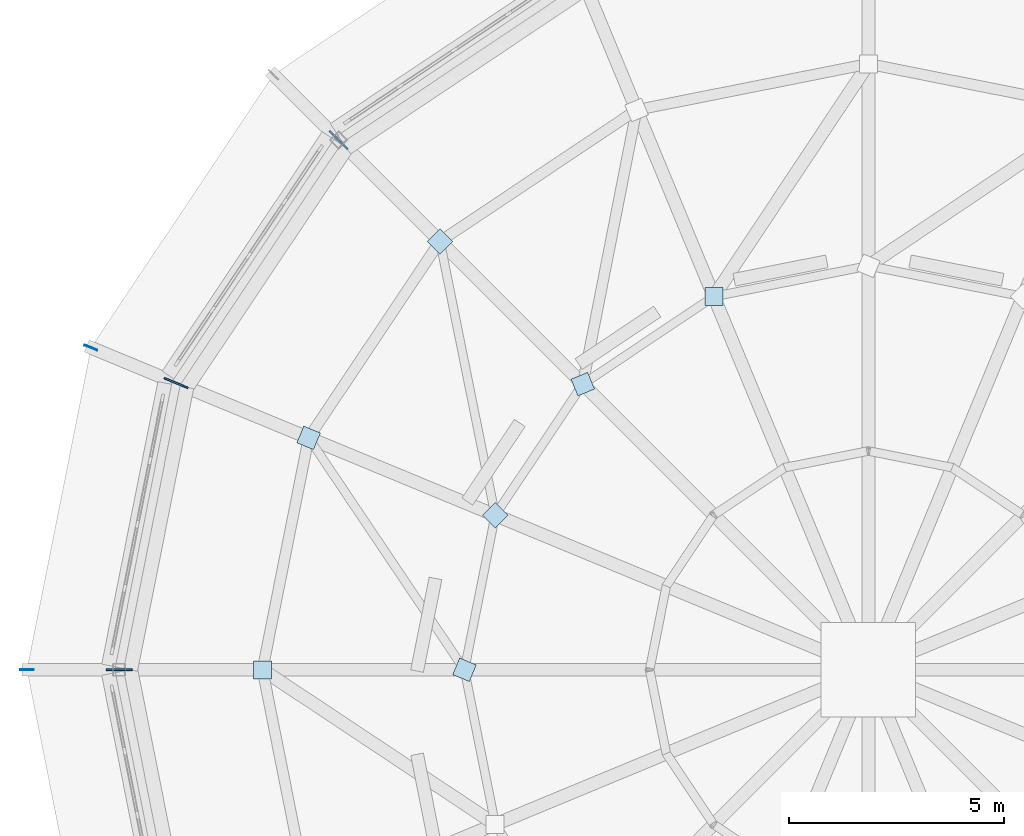
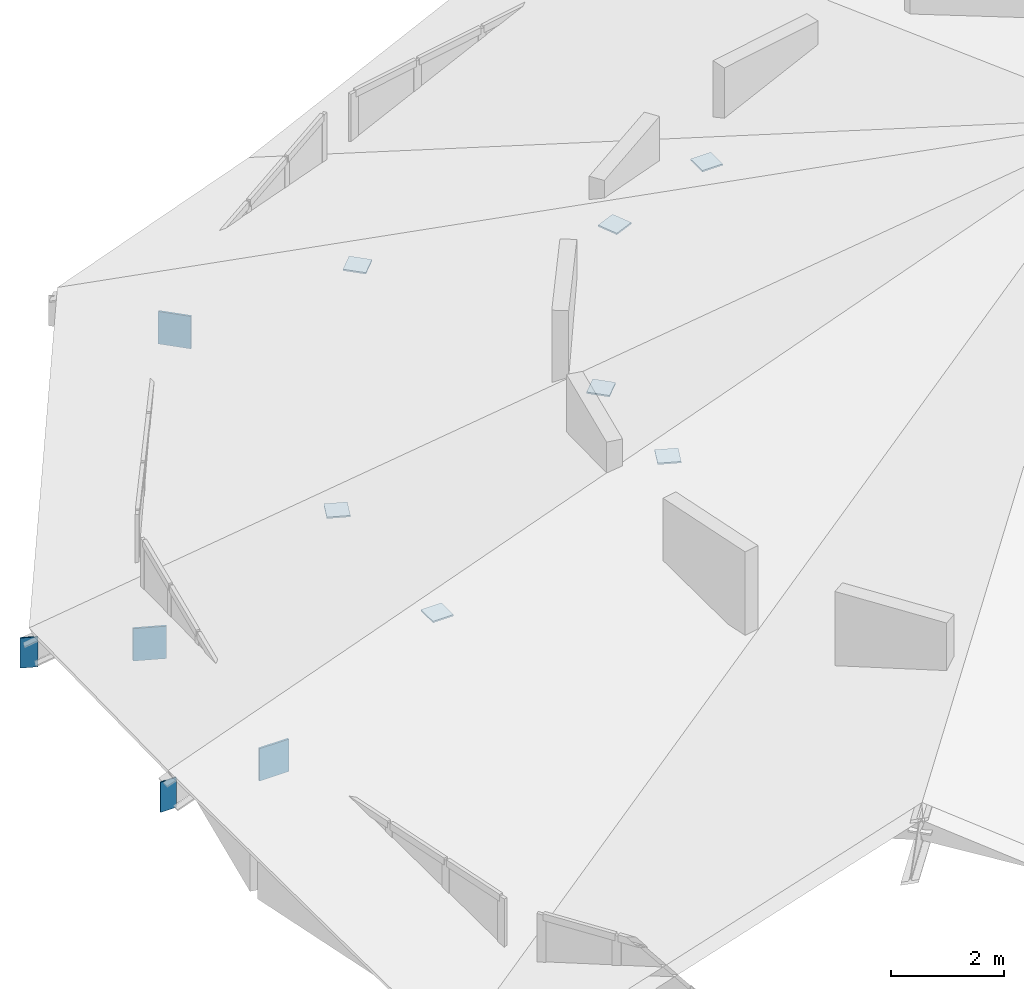
# One storey, part 14 of 18: 12 plates.
"""IFC4 building model written with IfcOpenShell, lengths in metres."""

from ifc_helpers import new_model, si_unit, direction, frame, origin, origin_2d, place, context, subcontext, project, spatial, rectangle, extrude, material, layer, layer_set, type_object, element, save


model = new_model("IFC4")

# Units and contexts
model_context = context("Model", 3, precision=1e-05, world=origin(), true_north=direction((0.0, 1.0)))
body_context = subcontext(model_context, "Body", "Model", "MODEL_VIEW")
ifc_project = project(units=[si_unit("LENGTHUNIT", "METRE"), si_unit("AREAUNIT", "SQUARE_METRE"), si_unit("VOLUMEUNIT", "CUBIC_METRE"), si_unit("PLANEANGLEUNIT", "RADIAN"), si_unit("MASSUNIT", "GRAM", prefix="KILO")], contexts=[model_context])

# Site, building, storey
site_placement = place(None, origin())
site = spatial("IfcSite", under=ifc_project, at=site_placement, CompositionType="ELEMENT")
building_placement = place(site_placement, origin())
building = spatial("IfcBuilding", under=site, at=building_placement, Name="Soyqirgoq Riverine Aquarium", CompositionType="ELEMENT")
storey_placement = place(building_placement, frame((0.0, 0.0, 29.39990234375)))
storey = spatial("IfcBuildingStorey", under=building, at=storey_placement, Name="RF", CompositionType="ELEMENT", Elevation=29.39990234375)

# Plates
ifc_material_1 = material(Name="Structural steel S355", Category="steel")
ifc_layer_1 = layer(ifc_material_1, 0.031982421875)
ifc_layer_set_1 = layer_set([ifc_layer_1], Name="Structural steel S355")
plate_type_1 = type_object("IfcPlateType", Name="NodeGussetPlate_32_S355", PredefinedType="SHEET", material=ifc_layer_set_1)
for number, where, z_axis, x_axis, name in (
    (1, (52.399658203125, 65.69189453125, 4.22802734375), (0.0, 0.0, 1.0), (0.0, 1.0, 0.0), "V1 Radial Truss Brace End Gusset Plate 094"),
    (2, (49.347412109375, 63.652587890625, 5.18798828125), (0.0, 0.0, 1.0), (-0.382683432365, 0.923879532511, 0.0), "V1 Radial Truss Brace End Gusset Plate 096"),
    (3, (46.021240234375, 66.978759765625, 3.4599609375), (0.0, 0.0, 1.0), (-0.707106781187, 0.707106781187, 0.0), "V1 Radial Truss Brace End Gusset Plate 097"),
    (4, (47.30810546875, 60.600341796875, 4.22802734375), (0.0, 0.0, 1.0), (-0.707106781187, 0.707106781187, 0.0), "V1 Radial Truss Brace End Gusset Plate 098"),
    (5, (42.962158203125, 62.400390625, 2.02001953125), (0.0, 0.0, 1.0), (-0.923879532511, 0.382683432365, 0.0), "V1 Radial Truss Brace End Gusset Plate 099"),
    (6, (46.592041015625, 57.0, 5.18798828125), (0.0, 0.0, 1.0), (-0.923879532511, 0.382683432365, 0.0), "V1 Radial Truss Brace End Gusset Plate 100"),
    (7, (41.887939453125, 57.0, 3.4599609375), (0.0, 0.0, 1.0), (-1.0, 0.0, 0.0), "V1 Radial Truss Brace End Gusset Plate 101"),
):
    element("IfcPlate", number, at=place(storey_placement, frame(where, z_axis=z_axis, x_axis=x_axis)), inside=storey, type_object=plate_type_1, Name=name, PredefinedType="SHEET", context=body_context, shape_type="SweptSolid", body=[
        extrude(rectangle(XDim=0.419921875, YDim=0.419921875, at=origin_2d()), origin(), (0.0, 0.0, 1.0), 0.031982421875),
    ])
ifc_material_2 = material(Name="Structural steel S355", Category="steel")
ifc_layer_2 = layer(ifc_material_2, 0.0400390625)
ifc_layer_set_2 = layer_set([ifc_layer_2], Name="Structural steel S355")
plate_type_2 = type_object("IfcPlateType", Name="NodeGussetPlate_40_S355", PredefinedType="SHEET", material=ifc_layer_set_2)
for number, where, z_axis, x_axis, name in (
    (8, (43.660888671875, 69.339111328125, 1.1298828125), (0.0, 0.0, 1.0), (-0.707106781187, 0.707106781187, 0.0), "V1 Folded-Plate Ring Node Gusset 066"),
    (9, (39.87841796875, 63.677734375, -0.8701171875), (0.0, 0.0, 1.0), (-0.923879532511, 0.382683432365, 0.0), "V1 Folded-Plate Ring Node Gusset 068"),
    (10, (38.550048828125, 57.0, 1.1298828125), (0.0, 0.0, 1.0), (-1.0, 0.0, 0.0), "V1 Folded-Plate Ring Node Gusset 070"),
):
    element("IfcPlate", number, at=place(storey_placement, frame(where, z_axis=z_axis, x_axis=x_axis)), inside=storey, type_object=plate_type_2, Name=name, PredefinedType="SHEET", context=body_context, shape_type="SweptSolid", body=[
        extrude(rectangle(XDim=0.60009765625, YDim=0.0400390625, at=origin_2d()), origin(), (0.0, 0.0, 1.0), 0.699951171875),
    ])
ifc_material_3 = material(Name="Structural steel S355", Category="steel")
ifc_layer_3 = layer(ifc_material_3, 0.02001953125)
ifc_layer_set_3 = layer_set([ifc_layer_3], Name="Structural steel S355")
plate_type_3 = type_object("IfcPlateType", Name="TubeCapPlate_20_S355", PredefinedType="USERDEFINED", material=ifc_layer_set_3)
plate_1_placement = place(storey_placement, frame((36.39990234375, 57.0, 1.155029296875), z_axis=(0.0, 0.0, 1.0), x_axis=(-1.0, 0.0, 0.0)))
element("IfcPlate", 11, at=plate_1_placement, inside=storey, type_object=plate_type_3, Name="V1 Folded-Plate Eave Rib Cap Plate 069", ObjectType="FLANGE_PLATE", PredefinedType="USERDEFINED", context=body_context, shape_type="SweptSolid", body=[
    extrude(rectangle(XDim=0.320068359375, YDim=0.02001953125, at=origin_2d()), origin(), (0.0, 0.0, 1.0), 0.64990234375),
])
ifc_material_4 = material(Name="Structural steel S355", Category="steel")
ifc_layer_4 = layer(ifc_material_4, 0.02197265625)
ifc_layer_set_4 = layer_set([ifc_layer_4], Name="Structural steel S355")
plate_type_4 = type_object("IfcPlateType", Name="TubeCapPlate_22_S355", PredefinedType="USERDEFINED", material=ifc_layer_set_4)
plate_2_placement = place(storey_placement, frame((37.89208984375, 64.50048828125, -0.844970703125), z_axis=(0.0, 0.0, 1.0), x_axis=(-0.923879532511, 0.382683432365, 0.0)))
element("IfcPlate", 12, at=plate_2_placement, inside=storey, type_object=plate_type_4, Name="V1 Folded-Plate Eave Rib Cap Plate 067", ObjectType="FLANGE_PLATE", PredefinedType="USERDEFINED", context=body_context, shape_type="SweptSolid", body=[
    extrude(rectangle(XDim=0.320068359375, YDim=0.02197265625, at=origin_2d()), origin(), (0.0, 0.0, 1.0), 0.64990234375),
])

save(model, "model.ifc")
